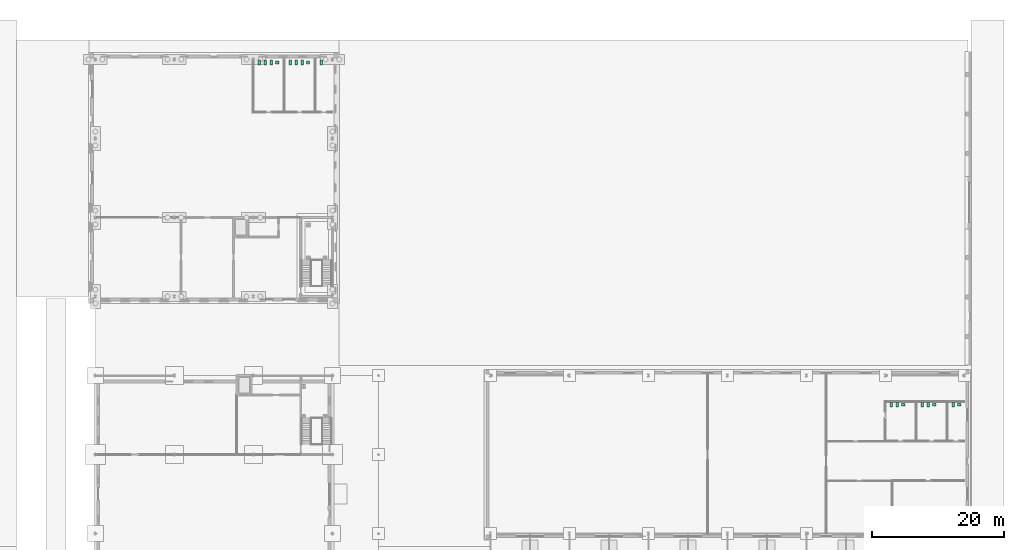
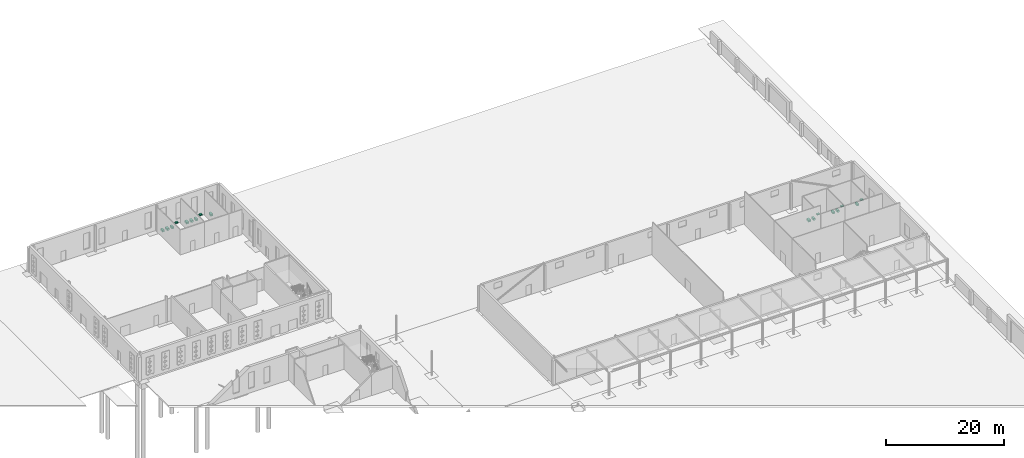
# One storey, part 131 of 132: 17 sanitary terminals.
"""IFC4 building model written with IfcOpenShell, lengths in metres."""

import ifcopenshell
import ifcopenshell.guid

model = None  # the IFC model being written
_history = None  # IfcOwnerHistory: only IFC2X3 demands one
_inside = {}  # id of a spatial element -> (the spatial element, [elements in it])
_under = {}  # id of a project, library or spatial element -> (it, [spatial elements below it])
_declared = {}  # id of a project -> (the project, [libraries it declares])
_typed = {}  # id of a type object -> (the type object, [elements of that type])
_made_of = {}  # id of a material, layer set ... -> (it, [elements and type objects made of it])


def new_model(schema):
    """Start an empty IFC model of exactly this schema.

    Asked for "IFC4X3", IfcOpenShell would pick the latest addendum, in which some entities
    have other attributes; the version numbers below select the first issue.
    IFC2X3 requires an IfcOwnerHistory on every rooted entity: one is made here for all.
    """
    global model, _history
    if schema == "IFC4X3":
        model = ifcopenshell.file(schema_version=(4, 3, 0, 0))
    else:
        model = ifcopenshell.file(schema=schema)
    _inside.clear()
    _under.clear()
    _declared.clear()
    _typed.clear()
    _made_of.clear()
    _history = None
    if model.schema == "IFC2X3":
        org = make("IfcOrganization", Name="unknown")
        user = make(
            "IfcPersonAndOrganization",
            ThePerson=make("IfcPerson", FamilyName="unknown"),
            TheOrganization=org,
        )
        app = make(
            "IfcApplication",
            ApplicationDeveloper=org,
            Version="unknown",
            ApplicationFullName="unknown",
            ApplicationIdentifier="unknown",
        )
        _history = make(
            "IfcOwnerHistory",
            OwningUser=user,
            OwningApplication=app,
            ChangeAction="ADDED",
            CreationDate=0,
        )
    return model


def make(cls, **values):
    """One entity of the class cls with the attributes given. An attribute that is None is left unset."""
    return model.create_entity(
        cls, **{name: value for name, value in values.items() if value is not None}
    )


def rooted(cls, **values):
    """An entity with a GlobalId (a new one), such as an element, a storey or a relation."""
    return make(cls, GlobalId=ifcopenshell.guid.new(), OwnerHistory=_history, **values)


def si_unit(unit_type, name, prefix=None):
    """IfcSIUnit, for example si_unit("LENGTHUNIT", "METRE", prefix="MILLI")."""
    return make("IfcSIUnit", UnitType=unit_type, Prefix=prefix, Name=name)


def assignment(units):
    """IfcUnitAssignment: the units of a project."""
    return None if units is None else make("IfcUnitAssignment", Units=units)


def point(xyz):
    """IfcCartesianPoint."""
    return None if xyz is None else make("IfcCartesianPoint", Coordinates=xyz)


def direction(xyz):
    """IfcDirection."""
    return None if xyz is None else make("IfcDirection", DirectionRatios=xyz)


def frame(location, z_axis=None, x_axis=None):
    """IfcAxis2Placement3D, a coordinate frame: its origin and axes. An axis left out is left unset."""
    return make(
        "IfcAxis2Placement3D",
        Location=point(location),
        Axis=direction(z_axis),
        RefDirection=direction(x_axis),
    )


def frame_2d(location, x_axis=None):
    """IfcAxis2Placement2D, a coordinate frame in the plane: its origin and x axis."""
    return make(
        "IfcAxis2Placement2D", Location=point(location), RefDirection=direction(x_axis)
    )


def origin():
    """The frame at (0, 0, 0) with its axes left unset."""
    return frame((0.0, 0.0, 0.0))


def origin_2d():
    """The frame at (0, 0) in the plane with its x axis left unset."""
    return frame_2d((0.0, 0.0))


def place(relative_to, where):
    """IfcLocalPlacement: puts the frame where relative to a parent placement (None: the world)."""
    return make(
        "IfcLocalPlacement", PlacementRelTo=relative_to, RelativePlacement=where
    )


def context(
    kind, dimensions, precision=None, world=None, true_north=None, identifier=None
):
    """IfcGeometricRepresentationContext, for example the 3D "Model" context."""
    return make(
        "IfcGeometricRepresentationContext",
        ContextIdentifier=identifier,
        ContextType=kind,
        CoordinateSpaceDimension=dimensions,
        Precision=precision,
        WorldCoordinateSystem=world,
        TrueNorth=true_north,
    )


def subcontext(parent, identifier, kind, view, scale=None):
    """IfcGeometricRepresentationSubContext, for example "Body" below "Model"."""
    return make(
        "IfcGeometricRepresentationSubContext",
        ContextIdentifier=identifier,
        ContextType=kind,
        ParentContext=parent,
        TargetScale=scale,
        TargetView=view,
    )


def project(units=None, contexts=None):
    """IfcProject with its units and contexts."""
    return rooted(
        "IfcProject",
        Name="project",
        RepresentationContexts=contexts,
        UnitsInContext=assignment(units),
    )


def spatial(cls, under=None, at=None, **own):
    """A site, building, storey or space (cls), placed at a placement, below another one or the project."""
    s = rooted(cls, ObjectPlacement=at, **own)
    if under is not None:
        _under.setdefault(under.id(), (under, []))[1].append(s)
    return s


def profile(cls, at=None, kind="AREA", **sizes):
    """A parametric profile (cls). Its sizes go by their IFC names, for example OverallWidth=200.0."""
    return make(cls, ProfileType=kind, Position=at, **sizes)


def rectangle(**sizes):
    """IfcRectangleProfileDef."""
    return profile("IfcRectangleProfileDef", **sizes)


def extrude(swept, where, along, depth):
    """IfcExtrudedAreaSolid: the profile swept, set in the frame where, extruded along a direction by depth."""
    return make(
        "IfcExtrudedAreaSolid",
        SweptArea=swept,
        Position=where,
        ExtrudedDirection=direction(along),
        Depth=depth,
    )


def shape(context_of_items, identifier, shape_type, items):
    """IfcShapeRepresentation: the items that make up one representation, for example the "Body"."""
    return make(
        "IfcShapeRepresentation",
        ContextOfItems=context_of_items,
        RepresentationIdentifier=identifier,
        RepresentationType=shape_type,
        Items=items,
    )


def material(Name=None, Category=None):
    """IfcMaterial."""
    return make("IfcMaterial", Name=Name, Category=Category)


def made_of(thing, what):
    """Note that an element or type object is made of a material, layer set ...; save() writes the relation."""
    if what is not None:
        _made_of.setdefault(what.id(), (what, []))[1].append(thing)
    return thing


def type_object(cls, material=None, **own):
    """A type object (cls), such as IfcWallType, which elements share."""
    return made_of(rooted(cls, **own), material)


def element(
    cls,
    number,
    at=None,
    inside=None,
    cuts=None,
    type_object=None,
    material=None,
    context=None,
    identifier="Body",
    shape_type=None,
    held_by="IfcProductDefinitionShape",
    body=None,
    shapes=None,
    **own,
):
    """One element of the class cls, such as IfcWall. Its Tag is "e" and its number.

    at: its placement. inside: the storey or other place that contains it. cuts: it is an
    opening in that element (IfcRelVoidsElement). A single representation is given by context,
    identifier, shape_type and body (its items); several are given by shapes. held_by: the class
    of the entity that holds the representations. save() writes the other relations.
    """
    e = rooted(cls, Tag="e%d" % number, ObjectPlacement=at, **own)
    if body is not None:
        shapes = [shape(context, identifier, shape_type, body)]
    if shapes is not None:
        e.Representation = make(held_by, Representations=shapes)
    if inside is not None:
        _inside.setdefault(inside.id(), (inside, []))[1].append(e)
    if cuts is not None:
        rooted(
            "IfcRelVoidsElement", RelatingBuildingElement=cuts, RelatedOpeningElement=e
        )
    if type_object is not None:
        _typed.setdefault(type_object.id(), (type_object, []))[1].append(e)
    return made_of(e, material)


def aggregate(whole, parts):
    """IfcRelAggregates: a whole, such as a stair, and the parts it consists of."""
    return rooted("IfcRelAggregates", RelatingObject=whole, RelatedObjects=parts)


def save(model, path):
    """Write the relations noted so far, then the file.

    IfcRelAggregates (storeys below a building ...), IfcRelContainedInSpatialStructure (elements
    in a storey), IfcRelDefinesByType, IfcRelAssociatesMaterial and IfcRelDeclares: one each for
    every whole, place, type object, material and project.
    """
    for whole, parts in _under.values():
        aggregate(whole, parts)
    for where, things in _inside.values():
        rooted(
            "IfcRelContainedInSpatialStructure",
            RelatedElements=things,
            RelatingStructure=where,
        )
    for kind, things in _typed.values():
        rooted("IfcRelDefinesByType", RelatedObjects=things, RelatingType=kind)
    for what, things in _made_of.values():
        rooted("IfcRelAssociatesMaterial", RelatedObjects=things, RelatingMaterial=what)
    for by, libraries in _declared.values():
        rooted("IfcRelDeclares", RelatingContext=by, RelatedDefinitions=libraries)
    model.write(path)


model = new_model("IFC4")

# Units and contexts
model_context = context("Model", 3, precision=1e-05, world=origin(), true_north=direction((0.0, 1.0)))
body_context = subcontext(model_context, "Body", "Model", "MODEL_VIEW")
ifc_project = project(units=[si_unit("LENGTHUNIT", "METRE"), si_unit("AREAUNIT", "SQUARE_METRE"), si_unit("VOLUMEUNIT", "CUBIC_METRE"), si_unit("PLANEANGLEUNIT", "RADIAN"), si_unit("MASSUNIT", "GRAM", prefix="KILO")], contexts=[model_context])

# Site, building, storey
site_placement = place(None, origin())
site = spatial("IfcSite", under=ifc_project, at=site_placement, CompositionType="ELEMENT")
building_placement = place(site_placement, origin())
building = spatial("IfcBuilding", under=site, at=building_placement, Name="Ravi Spectrum Wholesale Market", CompositionType="ELEMENT")
storey_placement = place(building_placement, origin())
storey = spatial("IfcBuildingStorey", under=building, at=storey_placement, Name="L00", CompositionType="ELEMENT", Elevation=0.0)

# Sanitary terminals
ifc_material_1 = material(Name="Vitreous china")
sanitary_terminal_type_1 = type_object("IfcSanitaryTerminalType", Name="Wash hand basin", PredefinedType="WASHHANDBASIN", material=ifc_material_1)
for number, where, z_axis, x_axis, name in (
    (1, (189.60009765625, 233.550048828125, 0.7001953125), (0.0, 0.0, 1.0), (1.0, 0.0, 0.0), "Basin L00-AU-08-4"),
    (2, (194.300048828125, 233.550048828125, 0.7001953125), (0.0, 0.0, 1.0), (1.0, 0.0, 0.0), "Basin L00-AU-09-4"),
    (3, (284.699951171875, 181.550048828125, 0.7001953125), (0.0, 0.0, 1.0), (1.0, 0.0, 0.0), "Basin L00-GS-07-3"),
    (4, (289.39990234375, 181.550048828125, 0.7001953125), (0.0, 0.0, 1.0), (1.0, 0.0, 0.0), "Basin L00-GS-08-3"),
    (5, (293.199951171875, 181.550048828125, 0.7001953125), (0.0, 0.0, 1.0), (1.0, 0.0, 0.0), "Basin L00-GS-09-2"),
):
    element("IfcSanitaryTerminal", number, at=place(storey_placement, frame(where, z_axis=z_axis, x_axis=x_axis)), inside=storey, type_object=sanitary_terminal_type_1, Name=name, PredefinedType="WASHHANDBASIN", context=body_context, shape_type="SweptSolid", body=[
        extrude(rectangle(XDim=0.5, YDim=0.39990234375, at=origin_2d()), origin(), (0.0, 0.0, 1.0), 0.199951171875),
    ])
ifc_material_2 = material(Name="Vitreous china")
sanitary_terminal_type_2 = type_object("IfcSanitaryTerminalType", Name="Water closet pan", PredefinedType="WCSEAT", material=ifc_material_2)
for number, where, z_axis, x_axis, name in (
    (6, (186.89990234375, 233.550048828125, 0.0), (0.0, 0.0, 1.0), (1.0, 0.0, 0.0), "Water closet L00-AU-08-1"),
    (7, (187.800048828125, 233.550048828125, 0.0), (0.0, 0.0, 1.0), (1.0, 0.0, 0.0), "Water closet L00-AU-08-2"),
    (8, (188.699951171875, 233.550048828125, 0.0), (0.0, 0.0, 1.0), (1.0, 0.0, 0.0), "Water closet L00-AU-08-3"),
    (9, (191.60009765625, 233.550048828125, 0.0), (0.0, 0.0, 1.0), (1.0, 0.0, 0.0), "Water closet L00-AU-09-1"),
    (10, (192.5, 233.550048828125, 0.0), (0.0, 0.0, 1.0), (1.0, 0.0, 0.0), "Water closet L00-AU-09-2"),
    (11, (193.39990234375, 233.550048828125, 0.0), (0.0, 0.0, 1.0), (1.0, 0.0, 0.0), "Water closet L00-AU-09-3"),
    (12, (196.300048828125, 233.550048828125, 0.0), (0.0, 0.0, 1.0), (1.0, 0.0, 0.0), "Water closet L00-AU-10-1"),
    (13, (282.89990234375, 181.550048828125, 0.0), (0.0, 0.0, 1.0), (1.0, 0.0, 0.0), "Water closet L00-GS-07-1"),
    (14, (283.800048828125, 181.550048828125, 0.0), (0.0, 0.0, 1.0), (1.0, 0.0, 0.0), "Water closet L00-GS-07-2"),
    (15, (287.60009765625, 181.550048828125, 0.0), (0.0, 0.0, 1.0), (1.0, 0.0, 0.0), "Water closet L00-GS-08-1"),
    (16, (288.5, 181.550048828125, 0.0), (0.0, 0.0, 1.0), (1.0, 0.0, 0.0), "Water closet L00-GS-08-2"),
    (17, (292.300048828125, 181.550048828125, 0.0), (0.0, 0.0, 1.0), (1.0, 0.0, 0.0), "Water closet L00-GS-09-1"),
):
    element("IfcSanitaryTerminal", number, at=place(storey_placement, frame(where, z_axis=z_axis, x_axis=x_axis)), inside=storey, type_object=sanitary_terminal_type_2, Name=name, PredefinedType="WCSEAT", context=body_context, shape_type="SweptSolid", body=[
        extrude(rectangle(XDim=0.39990234375, YDim=0.699951171875, at=origin_2d()), origin(), (0.0, 0.0, 1.0), 0.39990234375),
    ])

save(model, "model.ifc")
